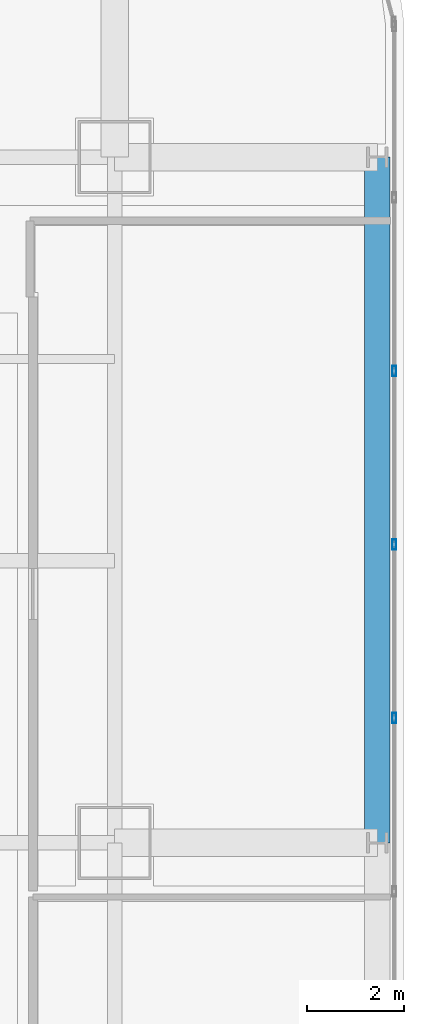
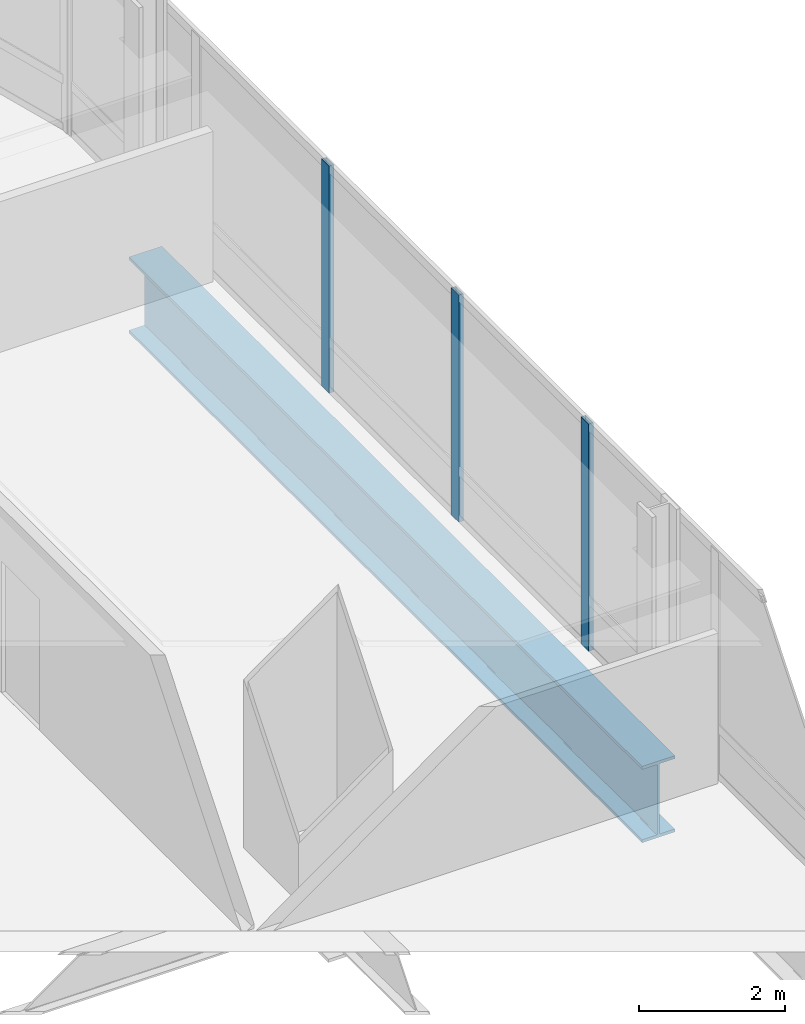
# One storey, part 18 of 34: 3 members, 1 beam, 1 element without a shape of its own.
"""IFC4 building model written with IfcOpenShell, lengths in metres."""

import ifcopenshell
import ifcopenshell.guid

model = None  # the IFC model being written
_history = None  # IfcOwnerHistory: only IFC2X3 demands one
_inside = {}  # id of a spatial element -> (the spatial element, [elements in it])
_under = {}  # id of a project, library or spatial element -> (it, [spatial elements below it])
_declared = {}  # id of a project -> (the project, [libraries it declares])
_typed = {}  # id of a type object -> (the type object, [elements of that type])
_made_of = {}  # id of a material, layer set ... -> (it, [elements and type objects made of it])


def new_model(schema):
    """Start an empty IFC model of exactly this schema.

    Asked for "IFC4X3", IfcOpenShell would pick the latest addendum, in which some entities
    have other attributes; the version numbers below select the first issue.
    IFC2X3 requires an IfcOwnerHistory on every rooted entity: one is made here for all.
    """
    global model, _history
    if schema == "IFC4X3":
        model = ifcopenshell.file(schema_version=(4, 3, 0, 0))
    else:
        model = ifcopenshell.file(schema=schema)
    _inside.clear()
    _under.clear()
    _declared.clear()
    _typed.clear()
    _made_of.clear()
    _history = None
    if model.schema == "IFC2X3":
        org = make("IfcOrganization", Name="unknown")
        user = make(
            "IfcPersonAndOrganization",
            ThePerson=make("IfcPerson", FamilyName="unknown"),
            TheOrganization=org,
        )
        app = make(
            "IfcApplication",
            ApplicationDeveloper=org,
            Version="unknown",
            ApplicationFullName="unknown",
            ApplicationIdentifier="unknown",
        )
        _history = make(
            "IfcOwnerHistory",
            OwningUser=user,
            OwningApplication=app,
            ChangeAction="ADDED",
            CreationDate=0,
        )
    return model


def make(cls, **values):
    """One entity of the class cls with the attributes given. An attribute that is None is left unset."""
    return model.create_entity(
        cls, **{name: value for name, value in values.items() if value is not None}
    )


def rooted(cls, **values):
    """An entity with a GlobalId (a new one), such as an element, a storey or a relation."""
    return make(cls, GlobalId=ifcopenshell.guid.new(), OwnerHistory=_history, **values)


def si_unit(unit_type, name, prefix=None):
    """IfcSIUnit, for example si_unit("LENGTHUNIT", "METRE", prefix="MILLI")."""
    return make("IfcSIUnit", UnitType=unit_type, Prefix=prefix, Name=name)


def assignment(units):
    """IfcUnitAssignment: the units of a project."""
    return None if units is None else make("IfcUnitAssignment", Units=units)


def point(xyz):
    """IfcCartesianPoint."""
    return None if xyz is None else make("IfcCartesianPoint", Coordinates=xyz)


def direction(xyz):
    """IfcDirection."""
    return None if xyz is None else make("IfcDirection", DirectionRatios=xyz)


def frame(location, z_axis=None, x_axis=None):
    """IfcAxis2Placement3D, a coordinate frame: its origin and axes. An axis left out is left unset."""
    return make(
        "IfcAxis2Placement3D",
        Location=point(location),
        Axis=direction(z_axis),
        RefDirection=direction(x_axis),
    )


def frame_2d(location, x_axis=None):
    """IfcAxis2Placement2D, a coordinate frame in the plane: its origin and x axis."""
    return make(
        "IfcAxis2Placement2D", Location=point(location), RefDirection=direction(x_axis)
    )


def origin():
    """The frame at (0, 0, 0) with its axes left unset."""
    return frame((0.0, 0.0, 0.0))


def origin_2d():
    """The frame at (0, 0) in the plane with its x axis left unset."""
    return frame_2d((0.0, 0.0))


def place(relative_to, where):
    """IfcLocalPlacement: puts the frame where relative to a parent placement (None: the world)."""
    return make(
        "IfcLocalPlacement", PlacementRelTo=relative_to, RelativePlacement=where
    )


def context(
    kind, dimensions, precision=None, world=None, true_north=None, identifier=None
):
    """IfcGeometricRepresentationContext, for example the 3D "Model" context."""
    return make(
        "IfcGeometricRepresentationContext",
        ContextIdentifier=identifier,
        ContextType=kind,
        CoordinateSpaceDimension=dimensions,
        Precision=precision,
        WorldCoordinateSystem=world,
        TrueNorth=true_north,
    )


def subcontext(parent, identifier, kind, view, scale=None):
    """IfcGeometricRepresentationSubContext, for example "Body" below "Model"."""
    return make(
        "IfcGeometricRepresentationSubContext",
        ContextIdentifier=identifier,
        ContextType=kind,
        ParentContext=parent,
        TargetScale=scale,
        TargetView=view,
    )


def project(units=None, contexts=None):
    """IfcProject with its units and contexts."""
    return rooted(
        "IfcProject",
        Name="project",
        RepresentationContexts=contexts,
        UnitsInContext=assignment(units),
    )


def spatial(cls, under=None, at=None, **own):
    """A site, building, storey or space (cls), placed at a placement, below another one or the project."""
    s = rooted(cls, ObjectPlacement=at, **own)
    if under is not None:
        _under.setdefault(under.id(), (under, []))[1].append(s)
    return s


def profile(cls, at=None, kind="AREA", **sizes):
    """A parametric profile (cls). Its sizes go by their IFC names, for example OverallWidth=200.0."""
    return make(cls, ProfileType=kind, Position=at, **sizes)


def hollow_rectangle(**sizes):
    """IfcRectangleHollowProfileDef."""
    return profile("IfcRectangleHollowProfileDef", **sizes)


def i_section(**sizes):
    """IfcIShapeProfileDef."""
    return profile("IfcIShapeProfileDef", **sizes)


def extrude(swept, where, along, depth):
    """IfcExtrudedAreaSolid: the profile swept, set in the frame where, extruded along a direction by depth."""
    return make(
        "IfcExtrudedAreaSolid",
        SweptArea=swept,
        Position=where,
        ExtrudedDirection=direction(along),
        Depth=depth,
    )


def shape(context_of_items, identifier, shape_type, items):
    """IfcShapeRepresentation: the items that make up one representation, for example the "Body"."""
    return make(
        "IfcShapeRepresentation",
        ContextOfItems=context_of_items,
        RepresentationIdentifier=identifier,
        RepresentationType=shape_type,
        Items=items,
    )


def material(Name=None, Category=None):
    """IfcMaterial."""
    return make("IfcMaterial", Name=Name, Category=Category)


def material_profile(
    of_material, cross_section, Name=None, Category=None, Priority=None
):
    """IfcMaterialProfile: a cross section and its material."""
    return make(
        "IfcMaterialProfile",
        Name=Name,
        Material=of_material,
        Profile=cross_section,
        Priority=Priority,
        Category=Category,
    )


def profile_set(profiles, Name=None, composite=None):
    """IfcMaterialProfileSet."""
    return make(
        "IfcMaterialProfileSet",
        Name=Name,
        MaterialProfiles=profiles,
        CompositeProfile=composite,
    )


def made_of(thing, what):
    """Note that an element or type object is made of a material, layer set ...; save() writes the relation."""
    if what is not None:
        _made_of.setdefault(what.id(), (what, []))[1].append(thing)
    return thing


def type_object(cls, material=None, **own):
    """A type object (cls), such as IfcWallType, which elements share."""
    return made_of(rooted(cls, **own), material)


def element(
    cls,
    number,
    at=None,
    inside=None,
    cuts=None,
    type_object=None,
    material=None,
    context=None,
    identifier="Body",
    shape_type=None,
    held_by="IfcProductDefinitionShape",
    body=None,
    shapes=None,
    **own,
):
    """One element of the class cls, such as IfcWall. Its Tag is "e" and its number.

    at: its placement. inside: the storey or other place that contains it. cuts: it is an
    opening in that element (IfcRelVoidsElement). A single representation is given by context,
    identifier, shape_type and body (its items); several are given by shapes. held_by: the class
    of the entity that holds the representations. save() writes the other relations.
    """
    e = rooted(cls, Tag="e%d" % number, ObjectPlacement=at, **own)
    if body is not None:
        shapes = [shape(context, identifier, shape_type, body)]
    if shapes is not None:
        e.Representation = make(held_by, Representations=shapes)
    if inside is not None:
        _inside.setdefault(inside.id(), (inside, []))[1].append(e)
    if cuts is not None:
        rooted(
            "IfcRelVoidsElement", RelatingBuildingElement=cuts, RelatedOpeningElement=e
        )
    if type_object is not None:
        _typed.setdefault(type_object.id(), (type_object, []))[1].append(e)
    return made_of(e, material)


def aggregate(whole, parts):
    """IfcRelAggregates: a whole, such as a stair, and the parts it consists of."""
    return rooted("IfcRelAggregates", RelatingObject=whole, RelatedObjects=parts)


def save(model, path):
    """Write the relations noted so far, then the file.

    IfcRelAggregates (storeys below a building ...), IfcRelContainedInSpatialStructure (elements
    in a storey), IfcRelDefinesByType, IfcRelAssociatesMaterial and IfcRelDeclares: one each for
    every whole, place, type object, material and project.
    """
    for whole, parts in _under.values():
        aggregate(whole, parts)
    for where, things in _inside.values():
        rooted(
            "IfcRelContainedInSpatialStructure",
            RelatedElements=things,
            RelatingStructure=where,
        )
    for kind, things in _typed.values():
        rooted("IfcRelDefinesByType", RelatedObjects=things, RelatingType=kind)
    for what, things in _made_of.values():
        rooted("IfcRelAssociatesMaterial", RelatedObjects=things, RelatingMaterial=what)
    for by, libraries in _declared.values():
        rooted("IfcRelDeclares", RelatingContext=by, RelatedDefinitions=libraries)
    model.write(path)


model = new_model("IFC4")

# Units and contexts
model_context = context("Model", 3, precision=1e-05, world=origin(), true_north=direction((0.0, 1.0)))
body_context = subcontext(model_context, "Body", "Model", "MODEL_VIEW")
ifc_project = project(units=[si_unit("LENGTHUNIT", "METRE"), si_unit("AREAUNIT", "SQUARE_METRE"), si_unit("VOLUMEUNIT", "CUBIC_METRE"), si_unit("PLANEANGLEUNIT", "RADIAN"), si_unit("MASSUNIT", "GRAM", prefix="KILO")], contexts=[model_context])

# Site, building, storey
site_placement = place(None, origin())
site = spatial("IfcSite", under=ifc_project, at=site_placement, CompositionType="ELEMENT")
building_placement = place(site_placement, origin())
building = spatial("IfcBuilding", under=site, at=building_placement, Name="Punatoya Terracotta Tower", CompositionType="ELEMENT")
storey_placement = place(building_placement, frame((0.0, 0.0, 97.050048828125)))
storey = spatial("IfcBuildingStorey", under=building, at=storey_placement, Name="L22", CompositionType="ELEMENT", Elevation=97.050048828125)

# Beam
ifc_material_1 = material(Name="Steel S460", Category="steel")
ifc_material_profile_1 = material_profile(ifc_material_1, i_section(OverallWidth=0.52001953125, OverallDepth=1.280029296875, WebThickness=0.031982421875, FlangeThickness=0.050048828125, FilletRadius=0.01806640625, at=origin_2d()))
ifc_profile_set_1 = profile_set([ifc_material_profile_1], Name="Steel S460")
beam_type = type_object("IfcBeamType", Name="BM-TG-NCK", PredefinedType="BEAM", material=ifc_profile_set_1)
beam_placement = place(storey_placement, frame((24.5, 3.39990234375, -0.880126953125), z_axis=(0.0, 1.0, 0.0), x_axis=(-1.0, 0.0, 0.0)))
element("IfcBeam", 1, at=beam_placement, inside=storey, type_object=beam_type, Name="BM-L22-PER-E3", PredefinedType="BEAM", context=body_context, shape_type="SweptSolid", body=[
    extrude(i_section(OverallWidth=0.52001953125, OverallDepth=1.280029296875, WebThickness=0.031982421875, FlangeThickness=0.050048828125, FilletRadius=0.01806640625, at=origin_2d()), origin(), (0.0, 0.0, 1.0), 14.10009765625),
])

# Curtain wall, members
ifc_material_2 = material(Name="Aluminium 6063-T6 + Double Low-E Glass", Category="aluminium")
curtain_wall_type = type_object("IfcCurtainWallType", Name="CW-M1", PredefinedType="NOTDEFINED", material=ifc_material_2)
curtain_wall_placement = place(storey_placement, origin())
curtain_wall = element("IfcCurtainWall", 2, at=curtain_wall_placement, inside=storey, type_object=curtain_wall_type, Name="L22 Curtain Wall CW-L22-E05-1", PredefinedType="NOTDEFINED")
ifc_material_3 = material(Name="Aluminium 6063-T6", Category="aluminium")
ifc_material_profile_2 = material_profile(ifc_material_3, hollow_rectangle(XDim=0.074951171875, YDim=0.2099609375, WallThickness=0.00439453125, at=origin_2d()))
ifc_profile_set_2 = profile_set([ifc_material_profile_2], Name="Aluminium 6063-T6")
member_type = type_object("IfcMemberType", Name="CW-MUL-M1", PredefinedType="MULLION", material=ifc_profile_set_2)
member_1_placement = place(storey_placement, frame((24.85009765625, 5.96728515625, 0.0), z_axis=(0.0, 0.0, 1.0), x_axis=(1.0, 0.0, 0.0)))
member_1 = element("IfcMember", 3, at=member_1_placement, type_object=member_type, Name="CW-L22-E05-1 Mullion 06", PredefinedType="MULLION", context=body_context, shape_type="SweptSolid", body=[
    extrude(hollow_rectangle(XDim=0.074951171875, YDim=0.2099609375, WallThickness=0.00439453125, at=origin_2d()), origin(), (0.0, 0.0, 1.0), 3.81005859375),
])
member_2_placement = place(storey_placement, frame((24.85009765625, 9.534912109375, 0.0), z_axis=(0.0, 0.0, 1.0), x_axis=(1.0, 0.0, 0.0)))
member_2 = element("IfcMember", 4, at=member_2_placement, type_object=member_type, Name="CW-L22-E05-1 Mullion 07", PredefinedType="MULLION", context=body_context, shape_type="SweptSolid", body=[
    extrude(hollow_rectangle(XDim=0.074951171875, YDim=0.2099609375, WallThickness=0.00439453125, at=origin_2d()), origin(), (0.0, 0.0, 1.0), 3.81005859375),
])
member_3_placement = place(storey_placement, frame((24.85009765625, 13.10205078125, 0.0), z_axis=(0.0, 0.0, 1.0), x_axis=(1.0, 0.0, 0.0)))
member_3 = element("IfcMember", 5, at=member_3_placement, type_object=member_type, Name="CW-L22-E05-1 Mullion 08", PredefinedType="MULLION", context=body_context, shape_type="SweptSolid", body=[
    extrude(hollow_rectangle(XDim=0.074951171875, YDim=0.2099609375, WallThickness=0.00439453125, at=origin_2d()), origin(), (0.0, 0.0, 1.0), 3.81005859375),
])
aggregate(curtain_wall, [member_1, member_2, member_3])

save(model, "model.ifc")
